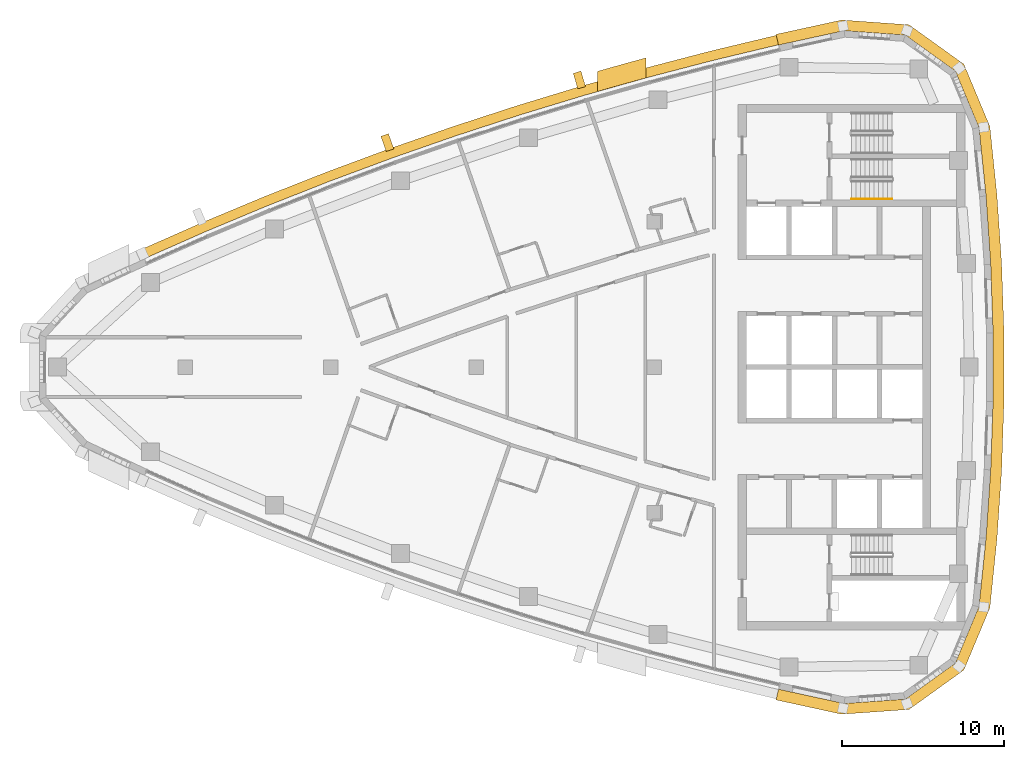
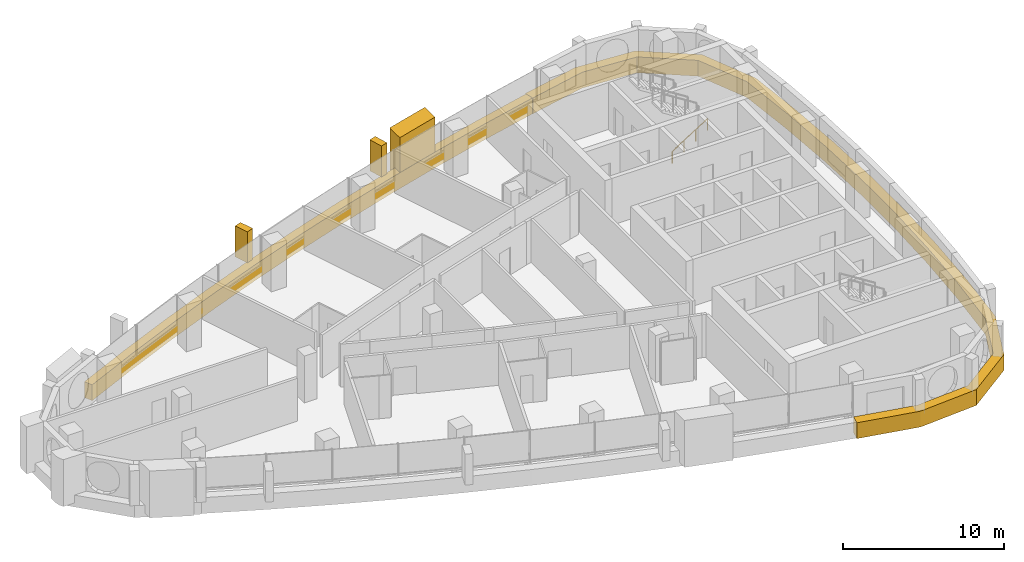
# One storey, part 14 of 15: 5 coverings, 1 railing.
"""IFC4 building model written with IfcOpenShell, lengths in metres."""

from ifc_helpers import new_model, si_unit, direction, frame, frame_2d, origin, origin_2d, place, context, subcontext, project, spatial, polyline, rectangle, circle, outline, extrude, material, layer, layer_set, type_object, element, save


model = new_model("IFC4")

# Units and contexts
model_context = context("Model", 3, precision=1e-05, world=origin(), true_north=direction((0.0, 1.0)))
body_context = subcontext(model_context, "Body", "Model", "MODEL_VIEW")
ifc_project = project(units=[si_unit("LENGTHUNIT", "METRE"), si_unit("AREAUNIT", "SQUARE_METRE"), si_unit("VOLUMEUNIT", "CUBIC_METRE"), si_unit("PLANEANGLEUNIT", "RADIAN"), si_unit("MASSUNIT", "GRAM", prefix="KILO")], contexts=[model_context])

# Site, building, storey
site_placement = place(None, origin())
site = spatial("IfcSite", under=ifc_project, at=site_placement, CompositionType="ELEMENT")
building_placement = place(site_placement, origin())
building = spatial("IfcBuilding", under=site, at=building_placement, Name="Ostrand Prow Hotel Tower", CompositionType="ELEMENT")
storey_placement = place(building_placement, frame((0.0, 0.0, 292.75)))
storey = spatial("IfcBuildingStorey", under=building, at=storey_placement, Name="L74", CompositionType="ELEMENT", Elevation=292.75)

# Coverings
ifc_material_1 = material(Name="Bronze anodised aluminium cladding", Category="aluminium")
ifc_layer_1 = layer(ifc_material_1, 0.60009765625)
ifc_layer_set_1 = layer_set([ifc_layer_1], Name="Bronze anodised aluminium cladding")
covering_type_1 = type_object("IfcCoveringType", Name="Bronze spandrel band 1200x600", PredefinedType="CLADDING", material=ifc_layer_set_1)
covering_1_placement = place(storey_placement, frame((0.0, 0.0, -0.300048828125)))
element("IfcCovering", 1, at=covering_1_placement, inside=storey, type_object=covering_type_1, Name="Spandrel band N1", PredefinedType="CLADDING", context=body_context, shape_type="SweptSolid", body=[
    extrude(outline(polyline([(52.55615234375, 20.52880859375), (48.51220703125, 19.56103515625), (44.48828125, 18.51220703125), (40.486328125, 17.382568359375), (36.508056640625, 16.172607421875), (32.5546875, 14.88330078125), (28.62841796875, 13.514404296875), (24.72998046875, 12.067138671875), (20.86181640625, 10.541748046875), (17.02490234375, 8.938720703125), (13.220947265625, 7.25927734375), (13.468994140625, 6.712890625), (17.26171875, 8.3876953125), (21.08740234375, 9.98583984375), (24.944580078125, 11.5068359375), (28.83154296875, 12.949951171875), (32.74658203125, 14.314697265625), (36.6884765625, 15.6005859375), (40.6552734375, 16.806884765625), (44.6455078125, 17.93310546875), (48.65771484375, 18.97900390625), (52.68994140625, 19.94384765625), (52.55615234375, 20.52880859375)])), origin(), (0.0, 0.0, 1.0), 1.199951171875),
])
covering_2_placement = place(storey_placement, frame((0.0, 0.0, -0.300048828125)))
element("IfcCovering", 2, at=covering_2_placement, inside=storey, type_object=covering_type_1, Name="Spandrel band back 1", PredefinedType="CLADDING", context=body_context, shape_type="SweptSolid", body=[
    extrude(outline(polyline([(52.542236328125, -20.58984375), (56.606201171875, -21.476318359375), (60.771728515625, -21.17919921875), (64.162841796875, -18.741455078125), (65.77197265625, -14.887451171875), (66.2080078125, -10.646240234375), (66.498779296875, -6.392822265625), (66.644287109375, -2.131591796875), (66.644287109375, 2.131591796875), (66.498779296875, 6.392822265625), (66.2080078125, 10.646240234375), (65.77197265625, 14.887451171875), (64.162841796875, 18.741455078125), (60.771728515625, 21.17919921875), (56.606201171875, 21.476318359375), (52.542236328125, 20.58984375), (52.69384765625, 19.927001953125), (56.744384765625, 20.810546875), (60.540283203125, 20.539794921875), (63.630615234375, 18.318359375), (65.0966796875, 14.806396484375), (65.530517578125, 10.58837890625), (65.819580078125, 6.35791015625), (65.964599609375, 2.1201171875), (65.964599609375, -2.1201171875), (65.819580078125, -6.35791015625), (65.530517578125, -10.58837890625), (65.0966796875, -14.806396484375), (63.630615234375, -18.318359375), (60.540283203125, -20.539794921875), (56.744384765625, -20.810546875), (52.69384765625, -19.927001953125), (52.542236328125, -20.58984375)])), origin(), (0.0, 0.0, 1.0), 1.199951171875),
])
ifc_material_2 = material(Name="Limestone cladding", Category="masonry")
ifc_layer_2 = layer(ifc_material_2, 5.0)
ifc_layer_set_2 = layer_set([ifc_layer_2], Name="Limestone cladding")
covering_type_2 = type_object("IfcCoveringType", Name="Portal jamb pilaster limestone", PredefinedType="CLADDING", material=ifc_layer_set_2)
covering_3_placement = place(storey_placement, origin())
element("IfcCovering", 3, at=covering_3_placement, inside=storey, type_object=covering_type_2, Name="Portal jamb NB L74", PredefinedType="CLADDING", context=body_context, shape_type="SweptSolid", body=[
    extrude(outline(polyline([(41.5, 17.052490234375), (42.5, 17.338134765625), (43.5, 17.61865234375), (44.5, 17.8935546875), (44.5, 19.136962890625), (43.5, 18.86376953125), (42.5, 18.585205078125), (41.5, 18.301025390625), (41.5, 17.052490234375)])), origin(), (0.0, 0.0, 1.0), 3.550048828125),
])
ifc_material_3 = material(Name="Limestone cladding", Category="masonry")
ifc_layer_3 = layer(ifc_material_3, 0.5)
ifc_layer_set_3 = layer_set([ifc_layer_3], Name="Limestone cladding")
covering_type_3 = type_object("IfcCoveringType", Name="Precast stone fin 500x900", PredefinedType="CLADDING", material=ifc_layer_set_3)
covering_4_placement = place(storey_placement, frame((40.5146484375, 17.28662109375, 0.89990234375), z_axis=(0.0, 0.0, 1.0), x_axis=(-0.281293696661, 0.959621725587, 0.0)))
element("IfcCovering", 4, at=covering_4_placement, inside=storey, type_object=covering_type_3, Name="Stone fin N 4", PredefinedType="CLADDING", context=body_context, shape_type="SweptSolid", body=[
    extrude(rectangle(XDim=0.999755859375, YDim=0.5, at=frame_2d((0.5, 0.0))), origin(), (0.0, 0.0, 1.0), 2.35009765625),
])
covering_5_placement = place(storey_placement, frame((28.662109375, 13.42041015625, 0.89990234375), z_axis=(0.0, 0.0, 1.0), x_axis=(-0.338624368902, 0.940921642213, 0.0)))
element("IfcCovering", 5, at=covering_5_placement, inside=storey, type_object=covering_type_3, Name="Stone fin N 7", PredefinedType="CLADDING", context=body_context, shape_type="SweptSolid", body=[
    extrude(rectangle(XDim=1.0, YDim=0.5, at=frame_2d((0.5, 0.0))), origin(), (0.0, 0.0, 1.0), 2.35009765625),
])

# Railing
ifc_material_4 = material(Name="Stainless steel", Category="steel")
railing_type = type_object("IfcRailingType", Name="Stair handrail 900", PredefinedType="HANDRAIL", material=ifc_material_4)
railing_placement = place(storey_placement, frame((57.199951171875, 10.39990234375, 0.177490234375)))
element("IfcRailing", 6, at=railing_placement, inside=storey, type_object=railing_type, Name="L74 ST1C stair handrail 1", PredefinedType="HANDRAIL", context=body_context, shape_type="SweptSolid", body=[
    extrude(circle(Radius=0.02392578125, at=origin_2d()), frame((0.0, 0.0, 0.8759765625), z_axis=(0.84460694969, 0.0, 0.535386869969), x_axis=(0.0, 1.0, 0.0)), (0.0, 0.0, 1.0), 2.983642578125),
    extrude(circle(Radius=0.02099609375, at=origin_2d()), origin(), (0.0, 0.0, 1.0), 0.851806640625),
    extrude(circle(Radius=0.02099609375, at=origin_2d()), frame((0.840087890625, 0.0, 0.532470703125)), (0.0, 0.0, 1.0), 0.851806640625),
    extrude(circle(Radius=0.02099609375, at=origin_2d()), frame((1.679931640625, 0.0, 1.06494140625)), (0.0, 0.0, 1.0), 0.851806640625),
    extrude(circle(Radius=0.02099609375, at=origin_2d()), frame((2.52001953125, 0.0, 1.597412109375)), (0.0, 0.0, 1.0), 0.851806640625),
])

save(model, "model.ifc")
